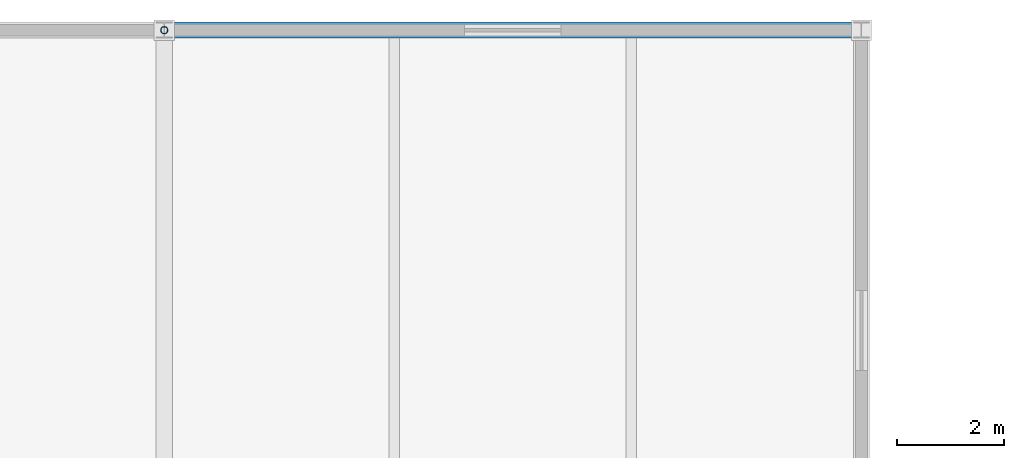
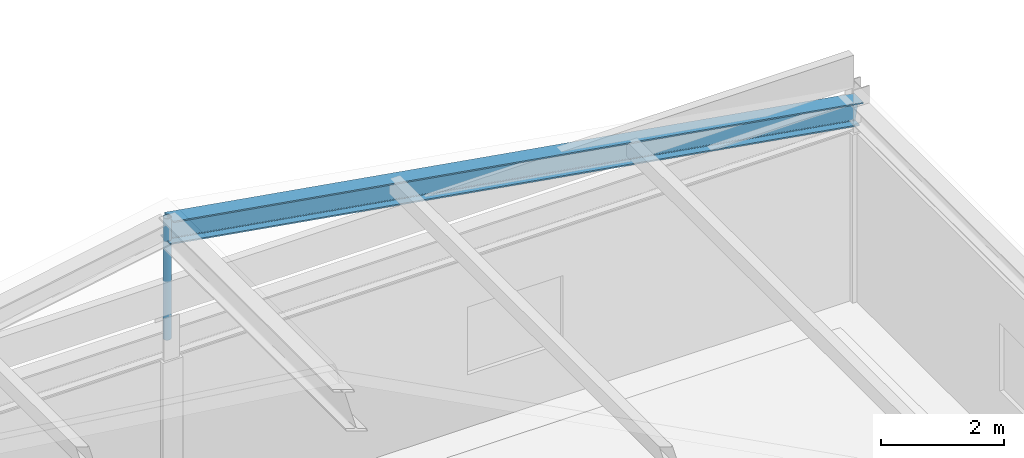
# One storey, part 27 of 63: 2 members.
"""IFC4 building model written with IfcOpenShell, lengths in metres."""

from ifc_helpers import new_model, si_unit, direction, frame, origin, origin_2d, place, context, subcontext, project, spatial, hollow_circle, i_section, extrude, material, material_profile, profile_set, type_object, element, save


model = new_model("IFC4")

# Units and contexts
model_context = context("Model", 3, precision=1e-05, world=origin(), true_north=direction((0.0, 1.0)))
body_context = subcontext(model_context, "Body", "Model", "MODEL_VIEW")
ifc_project = project(units=[si_unit("LENGTHUNIT", "METRE"), si_unit("AREAUNIT", "SQUARE_METRE"), si_unit("VOLUMEUNIT", "CUBIC_METRE"), si_unit("PLANEANGLEUNIT", "RADIAN"), si_unit("MASSUNIT", "GRAM", prefix="KILO")], contexts=[model_context])

# Site, building, storey
site_placement = place(None, origin())
site = spatial("IfcSite", under=ifc_project, at=site_placement, CompositionType="ELEMENT")
building_placement = place(site_placement, origin())
building = spatial("IfcBuilding", under=site, at=building_placement, Name="Tarnveldt Headland Concert Hall", CompositionType="ELEMENT")
storey_placement = place(building_placement, frame((0.0, 0.0, 14.39990234375)))
storey = spatial("IfcBuildingStorey", under=building, at=storey_placement, Name="L03", CompositionType="ELEMENT", Elevation=14.39990234375)

# Members
ifc_material = material(Name="Steel S355", Category="steel")
ifc_material_profile_1 = material_profile(ifc_material, i_section(OverallWidth=0.300048828125, OverallDepth=0.449951171875, WebThickness=0.013916015625, FlangeThickness=0.02587890625, FilletRadius=0.027099609375, at=origin_2d()), Name="HEB450", Category="steel")
ifc_profile_set_1 = profile_set([ifc_material_profile_1], Name="Steel S355")
member_type_1 = type_object("IfcMemberType", Name="RF-HEB450", PredefinedType="RAFTER", material=ifc_profile_set_1)
member_1_placement = place(storey_placement, frame((31.5, 115.199951171875, 5.860107421875), z_axis=(0.986230248863, 0.0, -0.165378040341), x_axis=(0.0, 1.0, 0.0)))
element("IfcMember", 1, at=member_1_placement, inside=storey, type_object=member_type_1, Name="ROOF TRUSS Rehearsal rafter N-3E", PredefinedType="RAFTER", context=body_context, shape_type="SweptSolid", body=[
    extrude(i_section(OverallWidth=0.300048828125, OverallDepth=0.449951171875, WebThickness=0.013916015625, FlangeThickness=0.02587890625, FilletRadius=0.027099609375, at=origin_2d()), origin(), (0.0, 0.0, 1.0), 13.181396484375),
])
ifc_material_profile_2 = material_profile(ifc_material, hollow_circle(Radius=0.06982421875, WallThickness=0.010009765625, at=origin_2d()), Name="CHS 139.7x10", Category="steel")
ifc_profile_set_2 = profile_set([ifc_material_profile_2], Name="Steel S355")
member_type_2 = type_object("IfcMemberType", Name="TR-WEB140", PredefinedType="BRACE", material=ifc_profile_set_2)
member_2_placement = place(storey_placement, frame((31.5, 115.199951171875, 3.68017578125), z_axis=(0.0, 0.0, 1.0), x_axis=(1.0, 0.0, 0.0)))
element("IfcMember", 2, at=member_2_placement, inside=storey, type_object=member_type_2, Name="KP-02 Roof truss kingpost strut N-3", PredefinedType="BRACE", context=body_context, shape_type="SweptSolid", body=[
    extrude(hollow_circle(Radius=0.06982421875, WallThickness=0.010009765625, at=origin_2d()), origin(), (0.0, 0.0, 1.0), 2.419921875),
])

save(model, "model.ifc")
